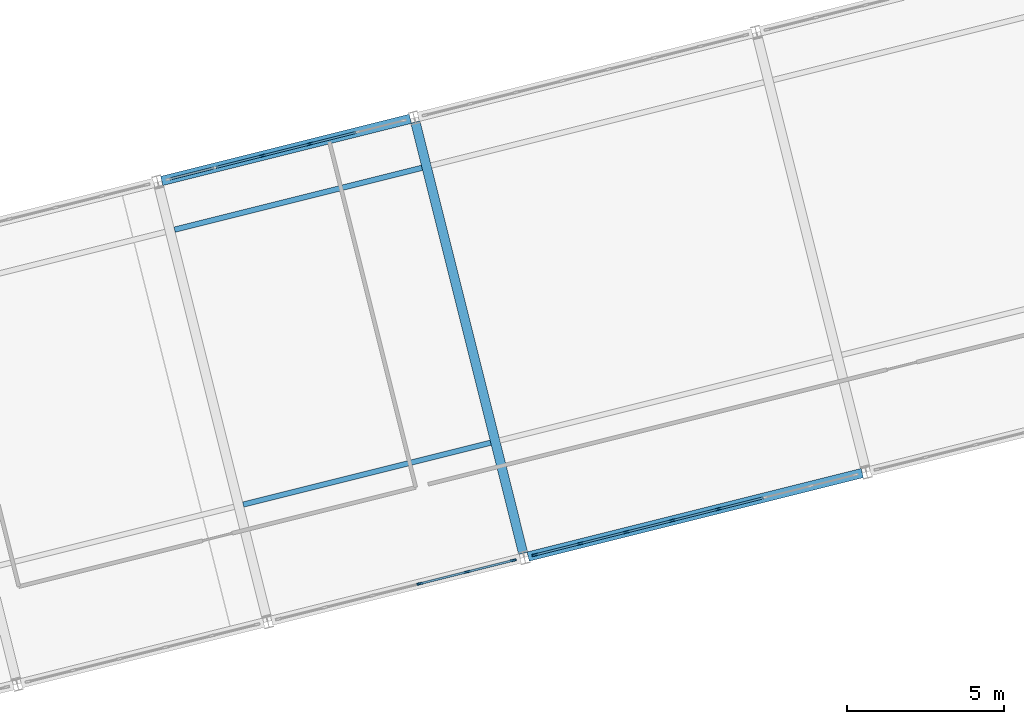
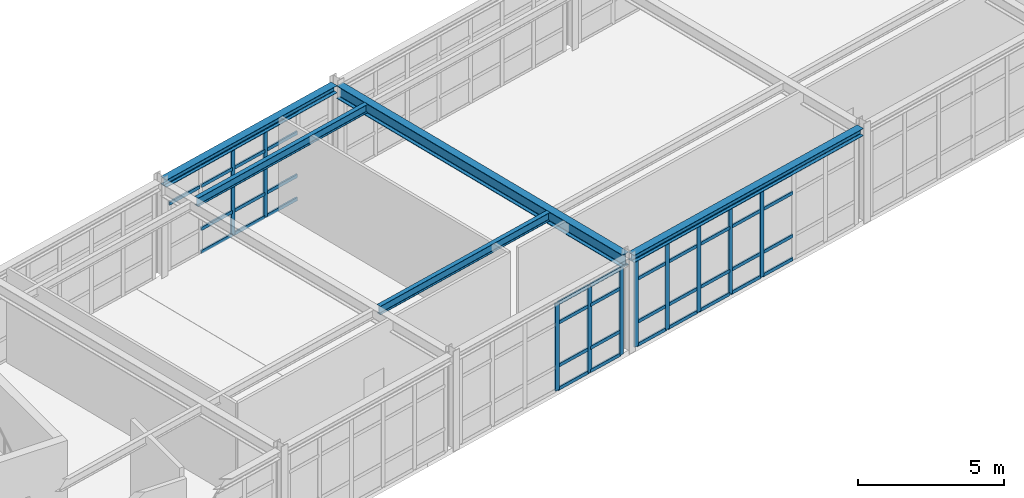
# One storey, part 20 of 76: 52 members, 5 beams, 3 elements without a shape of their own.
"""IFC4 building model written with IfcOpenShell, lengths in metres."""

from ifc_helpers import new_model, si_unit, direction, frame, origin, origin_2d, place, context, subcontext, project, spatial, rectangle, i_section, extrude, material, layer, layer_set, material_profile, profile_set, type_object, element, aggregate, save


model = new_model("IFC4")

# Units and contexts
model_context = context("Model", 3, precision=1e-05, world=origin(), true_north=direction((0.0, 1.0)))
body_context = subcontext(model_context, "Body", "Model", "MODEL_VIEW")
ifc_project = project(units=[si_unit("LENGTHUNIT", "METRE"), si_unit("AREAUNIT", "SQUARE_METRE"), si_unit("VOLUMEUNIT", "CUBIC_METRE"), si_unit("PLANEANGLEUNIT", "RADIAN"), si_unit("MASSUNIT", "GRAM", prefix="KILO")], contexts=[model_context])

# Site, building, storey
site_placement = place(None, origin())
site = spatial("IfcSite", under=ifc_project, at=site_placement, CompositionType="ELEMENT")
building_placement = place(site_placement, origin())
building = spatial("IfcBuilding", under=site, at=building_placement, Name="Nordkorset Police Headquarters", CompositionType="ELEMENT")
storey_placement = place(building_placement, frame((0.0, 0.0, 13.64990234375)))
storey = spatial("IfcBuildingStorey", under=building, at=storey_placement, Name="L03", CompositionType="ELEMENT", Elevation=13.64990234375)

# Beams
ifc_material_1 = material(Name="Steel S355J2", Category="steel")
ifc_material_profile_1 = material_profile(ifc_material_1, i_section(OverallWidth=0.169921875, OverallDepth=0.360107421875, WebThickness=0.008056640625, FlangeThickness=0.0126953125, FilletRadius=0.01806640625, at=origin_2d()), Name="IPE 360")
ifc_profile_set_1 = profile_set([ifc_material_profile_1], Name="Steel S355J2")
beam_type_1 = type_object("IfcBeamType", Name="Beam_IPE_360", PredefinedType="BEAM", material=ifc_profile_set_1)
for number, where, z_axis, x_axis, name in (
    (1, (42.61474609375, 50.670654296875, 3.800048828125), (0.970140727133, 0.242542716974, 0.0), (-0.242542716974, 0.970140727133, 0.0), "Splayed Wing Secondary Beam L03 2-1"),
    (2, (40.431884765625, 59.40185546875, 3.800048828125), (0.970140727133, 0.242542716974, 0.0), (-0.242542716974, 0.970140727133, 0.0), "Splayed Wing Secondary Beam L03 2-2"),
):
    element("IfcBeam", number, at=place(storey_placement, frame(where, z_axis=z_axis, x_axis=x_axis)), inside=storey, type_object=beam_type_1, Name=name, PredefinedType="BEAM", context=body_context, shape_type="SweptSolid", body=[
        extrude(i_section(OverallWidth=0.169921875, OverallDepth=0.360107421875, WebThickness=0.008056640625, FlangeThickness=0.0126953125, FilletRadius=0.01806640625, at=origin_2d()), origin(), (0.0, 0.0, 1.0), 8.10009765625),
    ])

# Curtain wall, members
ifc_material_2 = material(Name="Aluminium alloy AW-6060", Category="aluminium")
ifc_layer_1 = layer(ifc_material_2, 0.179931640625, Name="Aluminium alloy AW-6060")
ifc_layer_set_1 = layer_set([ifc_layer_1], Name="Aluminium alloy AW-6060")
curtain_wall_type_1 = type_object("IfcCurtainWallType", Name="CW_Unit_776x365", PredefinedType="USERDEFINED", material=ifc_layer_set_1)
curtain_wall_1_placement = place(storey_placement, origin())
curtain_wall_1 = element("IfcCurtainWall", 3, at=curtain_wall_1_placement, inside=storey, type_object=curtain_wall_type_1, Name="Unitised Curtain Wall L03 V4S-2", ObjectType="UNITISED CURTAIN WALL", PredefinedType="USERDEFINED")
ifc_material_3 = material(Name="Aluminium alloy AW-6060", Category="aluminium")
ifc_material_profile_2 = material_profile(ifc_material_3, rectangle(XDim=0.06494140625, YDim=0.179931640625, at=origin_2d()), Name="ALU MULL 65x180")
ifc_profile_set_2 = profile_set([ifc_material_profile_2], Name="Aluminium alloy AW-6060")
member_type_1 = type_object("IfcMemberType", Name="CW_Mullion_65x180", PredefinedType="MULLION", material=ifc_profile_set_2)
member_1_placement = place(storey_placement, frame((48.21826171875, 48.154541015625, 0.0), z_axis=(0.0, 0.0, 1.0), x_axis=(-0.24253471539, 0.970142727556, 0.0)))
member_1 = element("IfcMember", 4, at=member_1_placement, type_object=member_type_1, Name="CW-42 mullion 4", PredefinedType="MULLION", context=body_context, shape_type="SweptSolid", body=[
    extrude(rectangle(XDim=0.06494140625, YDim=0.179931640625, at=origin_2d()), origin(), (0.0, 0.0, 1.0), 3.650146484375),
])
member_2_placement = place(storey_placement, frame((49.723876953125, 48.531005859375, 0.0), z_axis=(0.0, 0.0, 1.0), x_axis=(-0.24253471539, 0.970142727556, 0.0)))
member_2 = element("IfcMember", 5, at=member_2_placement, type_object=member_type_1, Name="CW-42 mullion 5", PredefinedType="MULLION", context=body_context, shape_type="SweptSolid", body=[
    extrude(rectangle(XDim=0.06494140625, YDim=0.179931640625, at=origin_2d()), origin(), (0.0, 0.0, 1.0), 3.650146484375),
])
member_3_placement = place(storey_placement, frame((51.1982421875, 48.8994140625, 0.0), z_axis=(0.0, 0.0, 1.0), x_axis=(-0.24253471539, 0.970142727556, 0.0)))
member_3 = element("IfcMember", 6, at=member_3_placement, type_object=member_type_1, Name="CW-42 mullion 6", PredefinedType="MULLION", context=body_context, shape_type="SweptSolid", body=[
    extrude(rectangle(XDim=0.06494140625, YDim=0.179931640625, at=origin_2d()), origin(), (0.0, 0.0, 1.0), 3.650146484375),
])

curtain_wall_2_placement = place(storey_placement, origin())
curtain_wall_2 = element("IfcCurtainWall", 7, at=curtain_wall_2_placement, inside=storey, type_object=curtain_wall_type_1, Name="Unitised Curtain Wall L03 V4N-2", ObjectType="UNITISED CURTAIN WALL", PredefinedType="USERDEFINED")
member_4_placement = place(storey_placement, frame((43.22021484375, 61.748291015625, 0.0), z_axis=(0.0, 0.0, 1.0), x_axis=(-0.242535928242, 0.970142424344, 0.0)))
member_4 = element("IfcMember", 8, at=member_4_placement, type_object=member_type_1, Name="CW-42 mullion 3", PredefinedType="MULLION", context=body_context, shape_type="SweptSolid", body=[
    extrude(rectangle(XDim=0.06494140625, YDim=0.179931640625, at=origin_2d()), origin(), (0.0, 0.0, 1.0), 3.650146484375),
])
member_5_placement = place(storey_placement, frame((44.725830078125, 62.124755859375, 0.0), z_axis=(0.0, 0.0, 1.0), x_axis=(-0.242535928242, 0.970142424344, 0.0)))
member_5 = element("IfcMember", 9, at=member_5_placement, type_object=member_type_1, Name="CW-42 mullion 4", PredefinedType="MULLION", context=body_context, shape_type="SweptSolid", body=[
    extrude(rectangle(XDim=0.06494140625, YDim=0.179931640625, at=origin_2d()), origin(), (0.0, 0.0, 1.0), 3.650146484375),
])

ifc_material_4 = material(Name="Aluminium alloy AW-6060", Category="aluminium")
ifc_layer_2 = layer(ifc_material_4, 0.179931640625, Name="Aluminium alloy AW-6060")
ifc_layer_set_2 = layer_set([ifc_layer_2], Name="Aluminium alloy AW-6060")
curtain_wall_type_2 = type_object("IfcCurtainWallType", Name="CW_Unit_1056x365", PredefinedType="USERDEFINED", material=ifc_layer_set_2)
curtain_wall_3_placement = place(storey_placement, origin())
curtain_wall_3 = element("IfcCurtainWall", 10, at=curtain_wall_3_placement, inside=storey, type_object=curtain_wall_type_2, Name="Unitised Curtain Wall L03 V4S-3", ObjectType="UNITISED CURTAIN WALL", PredefinedType="USERDEFINED")
member_6_placement = place(storey_placement, frame((51.882080078125, 49.070556640625, 0.0), z_axis=(0.0, 0.0, 1.0), x_axis=(-0.242535179399, 0.970142611554, 0.0)))
member_6 = element("IfcMember", 11, at=member_6_placement, type_object=member_type_1, Name="CW-11 mullion 1", PredefinedType="MULLION", context=body_context, shape_type="SweptSolid", body=[
    extrude(rectangle(XDim=0.06494140625, YDim=0.179931640625, at=origin_2d()), origin(), (0.0, 0.0, 1.0), 3.650146484375),
])
member_7_placement = place(storey_placement, frame((53.31396484375, 49.428466796875, 0.0), z_axis=(0.0, 0.0, 1.0), x_axis=(-0.242535179399, 0.970142611554, 0.0)))
member_7 = element("IfcMember", 12, at=member_7_placement, type_object=member_type_1, Name="CW-11 mullion 2", PredefinedType="MULLION", context=body_context, shape_type="SweptSolid", body=[
    extrude(rectangle(XDim=0.06494140625, YDim=0.179931640625, at=origin_2d()), origin(), (0.0, 0.0, 1.0), 3.650146484375),
])
member_8_placement = place(storey_placement, frame((54.777587890625, 49.79443359375, 0.0), z_axis=(0.0, 0.0, 1.0), x_axis=(-0.242535179399, 0.970142611554, 0.0)))
member_8 = element("IfcMember", 13, at=member_8_placement, type_object=member_type_1, Name="CW-11 mullion 3", PredefinedType="MULLION", context=body_context, shape_type="SweptSolid", body=[
    extrude(rectangle(XDim=0.06494140625, YDim=0.179931640625, at=origin_2d()), origin(), (0.0, 0.0, 1.0), 3.650146484375),
])
member_9_placement = place(storey_placement, frame((56.2412109375, 50.160400390625, 0.0), z_axis=(0.0, 0.0, 1.0), x_axis=(-0.242535179399, 0.970142611554, 0.0)))
member_9 = element("IfcMember", 14, at=member_9_placement, type_object=member_type_1, Name="CW-11 mullion 4", PredefinedType="MULLION", context=body_context, shape_type="SweptSolid", body=[
    extrude(rectangle(XDim=0.06494140625, YDim=0.179931640625, at=origin_2d()), origin(), (0.0, 0.0, 1.0), 3.650146484375),
])
member_10_placement = place(storey_placement, frame((57.70458984375, 50.526123046875, 0.0), z_axis=(0.0, 0.0, 1.0), x_axis=(-0.242535179399, 0.970142611554, 0.0)))
member_10 = element("IfcMember", 15, at=member_10_placement, type_object=member_type_1, Name="CW-11 mullion 5", PredefinedType="MULLION", context=body_context, shape_type="SweptSolid", body=[
    extrude(rectangle(XDim=0.06494140625, YDim=0.179931640625, at=origin_2d()), origin(), (0.0, 0.0, 1.0), 3.650146484375),
])

# Member
ifc_material_5 = material(Name="Aluminium alloy AW-6060", Category="aluminium")
ifc_material_profile_3 = material_profile(ifc_material_5, rectangle(XDim=0.06494140625, YDim=0.139892578125, at=origin_2d()), Name="ALU TRAN 65x140")
ifc_profile_set_3 = profile_set([ifc_material_profile_3], Name="Aluminium alloy AW-6060")
member_type_2 = type_object("IfcMemberType", Name="CW_Transom_65x140", PredefinedType="USERDEFINED", material=ifc_profile_set_3)
member_11_placement = place(storey_placement, frame((48.249755859375, 48.162353515625, 0.03271484375), z_axis=(0.970113521062, 0.242651511953, 0.0), x_axis=(-0.242651511953, 0.970113521062, 0.0)))
member_11 = element("IfcMember", 16, at=member_11_placement, type_object=member_type_2, Name="CW-42 transom 4.1", ObjectType="TRANSOM", PredefinedType="USERDEFINED", context=body_context, shape_type="SweptSolid", body=[
    extrude(rectangle(XDim=0.06494140625, YDim=0.139892578125, at=origin_2d()), origin(), (0.0, 0.0, 1.0), 1.487060546875),
])

member_12_placement = place(storey_placement, frame((48.249755859375, 48.162353515625, 1.0), z_axis=(0.970113521062, 0.242651511953, 0.0), x_axis=(-0.242651511953, 0.970113521062, 0.0)))
member_12 = element("IfcMember", 17, at=member_12_placement, type_object=member_type_2, Name="CW-42 transom 4.2", ObjectType="TRANSOM", PredefinedType="USERDEFINED", context=body_context, shape_type="SweptSolid", body=[
    extrude(rectangle(XDim=0.06494140625, YDim=0.139892578125, at=origin_2d()), origin(), (0.0, 0.0, 1.0), 1.487060546875),
])

member_13_placement = place(storey_placement, frame((48.249755859375, 48.162353515625, 2.800048828125), z_axis=(0.970113521062, 0.242651511953, 0.0), x_axis=(-0.242651511953, 0.970113521062, 0.0)))
member_13 = element("IfcMember", 18, at=member_13_placement, type_object=member_type_2, Name="CW-42 transom 4.3", ObjectType="TRANSOM", PredefinedType="USERDEFINED", context=body_context, shape_type="SweptSolid", body=[
    extrude(rectangle(XDim=0.06494140625, YDim=0.139892578125, at=origin_2d()), origin(), (0.0, 0.0, 1.0), 1.487060546875),
])

member_14_placement = place(storey_placement, frame((48.249755859375, 48.162353515625, 3.61767578125), z_axis=(0.970113521062, 0.242651511953, 0.0), x_axis=(-0.242651511953, 0.970113521062, 0.0)))
member_14 = element("IfcMember", 19, at=member_14_placement, type_object=member_type_2, Name="CW-42 transom 4.4", ObjectType="TRANSOM", PredefinedType="USERDEFINED", context=body_context, shape_type="SweptSolid", body=[
    extrude(rectangle(XDim=0.06494140625, YDim=0.139892578125, at=origin_2d()), origin(), (0.0, 0.0, 1.0), 1.487060546875),
])

member_15_placement = place(storey_placement, frame((49.755615234375, 48.538818359375, 0.03271484375), z_axis=(0.970132624514, 0.242575124143, 0.0), x_axis=(-0.242575124143, 0.970132624514, 0.0)))
member_15 = element("IfcMember", 20, at=member_15_placement, type_object=member_type_2, Name="CW-42 transom 5.1", ObjectType="TRANSOM", PredefinedType="USERDEFINED", context=body_context, shape_type="SweptSolid", body=[
    extrude(rectangle(XDim=0.06494140625, YDim=0.139892578125, at=origin_2d()), origin(), (0.0, 0.0, 1.0), 1.454345703125),
])

member_16_placement = place(storey_placement, frame((49.755615234375, 48.538818359375, 1.0), z_axis=(0.970132624514, 0.242575124143, 0.0), x_axis=(-0.242575124143, 0.970132624514, 0.0)))
member_16 = element("IfcMember", 21, at=member_16_placement, type_object=member_type_2, Name="CW-42 transom 5.2", ObjectType="TRANSOM", PredefinedType="USERDEFINED", context=body_context, shape_type="SweptSolid", body=[
    extrude(rectangle(XDim=0.06494140625, YDim=0.139892578125, at=origin_2d()), origin(), (0.0, 0.0, 1.0), 1.454345703125),
])

member_17_placement = place(storey_placement, frame((49.755615234375, 48.538818359375, 2.800048828125), z_axis=(0.970132624514, 0.242575124143, 0.0), x_axis=(-0.242575124143, 0.970132624514, 0.0)))
member_17 = element("IfcMember", 22, at=member_17_placement, type_object=member_type_2, Name="CW-42 transom 5.3", ObjectType="TRANSOM", PredefinedType="USERDEFINED", context=body_context, shape_type="SweptSolid", body=[
    extrude(rectangle(XDim=0.06494140625, YDim=0.139892578125, at=origin_2d()), origin(), (0.0, 0.0, 1.0), 1.454345703125),
])

member_18_placement = place(storey_placement, frame((49.755615234375, 48.538818359375, 3.61767578125), z_axis=(0.970132624514, 0.242575124143, 0.0), x_axis=(-0.242575124143, 0.970132624514, 0.0)))
member_18 = element("IfcMember", 23, at=member_18_placement, type_object=member_type_2, Name="CW-42 transom 5.4", ObjectType="TRANSOM", PredefinedType="USERDEFINED", context=body_context, shape_type="SweptSolid", body=[
    extrude(rectangle(XDim=0.06494140625, YDim=0.139892578125, at=origin_2d()), origin(), (0.0, 0.0, 1.0), 1.454345703125),
])

aggregate(curtain_wall_1, [member_1, member_2, member_3, member_11, member_12, member_13, member_14, member_15, member_16, member_17, member_18])

member_19_placement = place(storey_placement, frame((40.27197265625, 61.01123046875, 2.800048828125), z_axis=(0.970132624514, 0.242575124143, 0.0), x_axis=(-0.242575124143, 0.970132624514, 0.0)))
member_19 = element("IfcMember", 24, at=member_19_placement, type_object=member_type_2, Name="CW-42 transom 1.3", ObjectType="TRANSOM", PredefinedType="USERDEFINED", context=body_context, shape_type="SweptSolid", body=[
    extrude(rectangle(XDim=0.06494140625, YDim=0.139892578125, at=origin_2d()), origin(), (0.0, 0.0, 1.0), 1.454345703125),
])

member_20_placement = place(storey_placement, frame((40.27197265625, 61.01123046875, 3.61767578125), z_axis=(0.970132624514, 0.242575124143, 0.0), x_axis=(-0.242575124143, 0.970132624514, 0.0)))
member_20 = element("IfcMember", 25, at=member_20_placement, type_object=member_type_2, Name="CW-42 transom 1.4", ObjectType="TRANSOM", PredefinedType="USERDEFINED", context=body_context, shape_type="SweptSolid", body=[
    extrude(rectangle(XDim=0.06494140625, YDim=0.139892578125, at=origin_2d()), origin(), (0.0, 0.0, 1.0), 1.454345703125),
])

member_21_placement = place(storey_placement, frame((41.74609375, 61.379638671875, 0.03271484375), z_axis=(0.970152157148, 0.242496993757, 0.0), x_axis=(-0.242496993757, 0.970152157148, 0.0)))
member_21 = element("IfcMember", 26, at=member_21_placement, type_object=member_type_2, Name="CW-42 transom 2.1", ObjectType="TRANSOM", PredefinedType="USERDEFINED", context=body_context, shape_type="SweptSolid", body=[
    extrude(rectangle(XDim=0.06494140625, YDim=0.139892578125, at=origin_2d()), origin(), (0.0, 0.0, 1.0), 1.487060546875),
])

member_22_placement = place(storey_placement, frame((41.74609375, 61.379638671875, 1.0), z_axis=(0.970152157148, 0.242496993757, 0.0), x_axis=(-0.242496993757, 0.970152157148, 0.0)))
member_22 = element("IfcMember", 27, at=member_22_placement, type_object=member_type_2, Name="CW-42 transom 2.2", ObjectType="TRANSOM", PredefinedType="USERDEFINED", context=body_context, shape_type="SweptSolid", body=[
    extrude(rectangle(XDim=0.06494140625, YDim=0.139892578125, at=origin_2d()), origin(), (0.0, 0.0, 1.0), 1.487060546875),
])

member_23_placement = place(storey_placement, frame((41.74609375, 61.379638671875, 2.800048828125), z_axis=(0.970152157148, 0.242496993757, 0.0), x_axis=(-0.242496993757, 0.970152157148, 0.0)))
member_23 = element("IfcMember", 28, at=member_23_placement, type_object=member_type_2, Name="CW-42 transom 2.3", ObjectType="TRANSOM", PredefinedType="USERDEFINED", context=body_context, shape_type="SweptSolid", body=[
    extrude(rectangle(XDim=0.06494140625, YDim=0.139892578125, at=origin_2d()), origin(), (0.0, 0.0, 1.0), 1.487060546875),
])

member_24_placement = place(storey_placement, frame((41.74609375, 61.379638671875, 3.61767578125), z_axis=(0.970152157148, 0.242496993757, 0.0), x_axis=(-0.242496993757, 0.970152157148, 0.0)))
member_24 = element("IfcMember", 29, at=member_24_placement, type_object=member_type_2, Name="CW-42 transom 2.4", ObjectType="TRANSOM", PredefinedType="USERDEFINED", context=body_context, shape_type="SweptSolid", body=[
    extrude(rectangle(XDim=0.06494140625, YDim=0.139892578125, at=origin_2d()), origin(), (0.0, 0.0, 1.0), 1.487060546875),
])

member_25_placement = place(storey_placement, frame((43.251708984375, 61.756103515625, 0.03271484375), z_axis=(0.970152157148, 0.242496993757, 0.0), x_axis=(-0.242496993757, 0.970152157148, 0.0)))
member_25 = element("IfcMember", 30, at=member_25_placement, type_object=member_type_2, Name="CW-42 transom 3.1", ObjectType="TRANSOM", PredefinedType="USERDEFINED", context=body_context, shape_type="SweptSolid", body=[
    extrude(rectangle(XDim=0.06494140625, YDim=0.139892578125, at=origin_2d()), origin(), (0.0, 0.0, 1.0), 1.487060546875),
])

member_26_placement = place(storey_placement, frame((43.251708984375, 61.756103515625, 1.0), z_axis=(0.970152157148, 0.242496993757, 0.0), x_axis=(-0.242496993757, 0.970152157148, 0.0)))
member_26 = element("IfcMember", 31, at=member_26_placement, type_object=member_type_2, Name="CW-42 transom 3.2", ObjectType="TRANSOM", PredefinedType="USERDEFINED", context=body_context, shape_type="SweptSolid", body=[
    extrude(rectangle(XDim=0.06494140625, YDim=0.139892578125, at=origin_2d()), origin(), (0.0, 0.0, 1.0), 1.487060546875),
])

member_27_placement = place(storey_placement, frame((43.251708984375, 61.756103515625, 2.800048828125), z_axis=(0.970152157148, 0.242496993757, 0.0), x_axis=(-0.242496993757, 0.970152157148, 0.0)))
member_27 = element("IfcMember", 32, at=member_27_placement, type_object=member_type_2, Name="CW-42 transom 3.3", ObjectType="TRANSOM", PredefinedType="USERDEFINED", context=body_context, shape_type="SweptSolid", body=[
    extrude(rectangle(XDim=0.06494140625, YDim=0.139892578125, at=origin_2d()), origin(), (0.0, 0.0, 1.0), 1.487060546875),
])

member_28_placement = place(storey_placement, frame((43.251708984375, 61.756103515625, 3.61767578125), z_axis=(0.970152157148, 0.242496993757, 0.0), x_axis=(-0.242496993757, 0.970152157148, 0.0)))
member_28 = element("IfcMember", 33, at=member_28_placement, type_object=member_type_2, Name="CW-42 transom 3.4", ObjectType="TRANSOM", PredefinedType="USERDEFINED", context=body_context, shape_type="SweptSolid", body=[
    extrude(rectangle(XDim=0.06494140625, YDim=0.139892578125, at=origin_2d()), origin(), (0.0, 0.0, 1.0), 1.487060546875),
])

member_29_placement = place(storey_placement, frame((44.75732421875, 62.132568359375, 0.03271484375), z_axis=(0.970152157148, 0.242496993757, 0.0), x_axis=(-0.242496993757, 0.970152157148, 0.0)))
member_29 = element("IfcMember", 34, at=member_29_placement, type_object=member_type_2, Name="CW-42 transom 4.1", ObjectType="TRANSOM", PredefinedType="USERDEFINED", context=body_context, shape_type="SweptSolid", body=[
    extrude(rectangle(XDim=0.06494140625, YDim=0.139892578125, at=origin_2d()), origin(), (0.0, 0.0, 1.0), 1.487060546875),
])

member_30_placement = place(storey_placement, frame((44.75732421875, 62.132568359375, 1.0), z_axis=(0.970152157148, 0.242496993757, 0.0), x_axis=(-0.242496993757, 0.970152157148, 0.0)))
member_30 = element("IfcMember", 35, at=member_30_placement, type_object=member_type_2, Name="CW-42 transom 4.2", ObjectType="TRANSOM", PredefinedType="USERDEFINED", context=body_context, shape_type="SweptSolid", body=[
    extrude(rectangle(XDim=0.06494140625, YDim=0.139892578125, at=origin_2d()), origin(), (0.0, 0.0, 1.0), 1.487060546875),
])

member_31_placement = place(storey_placement, frame((44.75732421875, 62.132568359375, 2.800048828125), z_axis=(0.970152157148, 0.242496993757, 0.0), x_axis=(-0.242496993757, 0.970152157148, 0.0)))
member_31 = element("IfcMember", 36, at=member_31_placement, type_object=member_type_2, Name="CW-42 transom 4.3", ObjectType="TRANSOM", PredefinedType="USERDEFINED", context=body_context, shape_type="SweptSolid", body=[
    extrude(rectangle(XDim=0.06494140625, YDim=0.139892578125, at=origin_2d()), origin(), (0.0, 0.0, 1.0), 1.487060546875),
])

member_32_placement = place(storey_placement, frame((44.75732421875, 62.132568359375, 3.61767578125), z_axis=(0.970152157148, 0.242496993757, 0.0), x_axis=(-0.242496993757, 0.970152157148, 0.0)))
member_32 = element("IfcMember", 37, at=member_32_placement, type_object=member_type_2, Name="CW-42 transom 4.4", ObjectType="TRANSOM", PredefinedType="USERDEFINED", context=body_context, shape_type="SweptSolid", body=[
    extrude(rectangle(XDim=0.06494140625, YDim=0.139892578125, at=origin_2d()), origin(), (0.0, 0.0, 1.0), 1.487060546875),
])

aggregate(curtain_wall_2, [member_4, member_5, member_19, member_20, member_21, member_22, member_23, member_24, member_25, member_26, member_27, member_28, member_29, member_30, member_31, member_32])

member_33_placement = place(storey_placement, frame((51.91357421875, 49.078369140625, 0.03271484375), z_axis=(0.970132321548, 0.242576335796, 0.0), x_axis=(-0.242576335796, 0.970132321548, 0.0)))
member_33 = element("IfcMember", 38, at=member_33_placement, type_object=member_type_2, Name="CW-11 transom 1.1", ObjectType="TRANSOM", PredefinedType="USERDEFINED", context=body_context, shape_type="SweptSolid", body=[
    extrude(rectangle(XDim=0.06494140625, YDim=0.139892578125, at=origin_2d()), origin(), (0.0, 0.0, 1.0), 1.4111328125),
])

member_34_placement = place(storey_placement, frame((51.91357421875, 49.078369140625, 1.0), z_axis=(0.970132321548, 0.242576335796, 0.0), x_axis=(-0.242576335796, 0.970132321548, 0.0)))
member_34 = element("IfcMember", 39, at=member_34_placement, type_object=member_type_2, Name="CW-11 transom 1.2", ObjectType="TRANSOM", PredefinedType="USERDEFINED", context=body_context, shape_type="SweptSolid", body=[
    extrude(rectangle(XDim=0.06494140625, YDim=0.139892578125, at=origin_2d()), origin(), (0.0, 0.0, 1.0), 1.4111328125),
])

member_35_placement = place(storey_placement, frame((51.91357421875, 49.078369140625, 2.800048828125), z_axis=(0.970132321548, 0.242576335796, 0.0), x_axis=(-0.242576335796, 0.970132321548, 0.0)))
member_35 = element("IfcMember", 40, at=member_35_placement, type_object=member_type_2, Name="CW-11 transom 1.3", ObjectType="TRANSOM", PredefinedType="USERDEFINED", context=body_context, shape_type="SweptSolid", body=[
    extrude(rectangle(XDim=0.06494140625, YDim=0.139892578125, at=origin_2d()), origin(), (0.0, 0.0, 1.0), 1.4111328125),
])

member_36_placement = place(storey_placement, frame((51.91357421875, 49.078369140625, 3.61767578125), z_axis=(0.970132321548, 0.242576335796, 0.0), x_axis=(-0.242576335796, 0.970132321548, 0.0)))
member_36 = element("IfcMember", 41, at=member_36_placement, type_object=member_type_2, Name="CW-11 transom 1.4", ObjectType="TRANSOM", PredefinedType="USERDEFINED", context=body_context, shape_type="SweptSolid", body=[
    extrude(rectangle(XDim=0.06494140625, YDim=0.139892578125, at=origin_2d()), origin(), (0.0, 0.0, 1.0), 1.4111328125),
])

member_37_placement = place(storey_placement, frame((53.345703125, 49.4365234375, 0.03271484375), z_axis=(0.970142500145, 0.242535625036, 0.0), x_axis=(-0.242535625036, 0.970142500145, 0.0)))
member_37 = element("IfcMember", 42, at=member_37_placement, type_object=member_type_2, Name="CW-11 transom 2.1", ObjectType="TRANSOM", PredefinedType="USERDEFINED", context=body_context, shape_type="SweptSolid", body=[
    extrude(rectangle(XDim=0.06494140625, YDim=0.139892578125, at=origin_2d()), origin(), (0.0, 0.0, 1.0), 1.443603515625),
])

member_38_placement = place(storey_placement, frame((53.345703125, 49.4365234375, 1.0), z_axis=(0.970142500145, 0.242535625036, 0.0), x_axis=(-0.242535625036, 0.970142500145, 0.0)))
member_38 = element("IfcMember", 43, at=member_38_placement, type_object=member_type_2, Name="CW-11 transom 2.2", ObjectType="TRANSOM", PredefinedType="USERDEFINED", context=body_context, shape_type="SweptSolid", body=[
    extrude(rectangle(XDim=0.06494140625, YDim=0.139892578125, at=origin_2d()), origin(), (0.0, 0.0, 1.0), 1.443603515625),
])

member_39_placement = place(storey_placement, frame((53.345703125, 49.4365234375, 2.800048828125), z_axis=(0.970142500145, 0.242535625036, 0.0), x_axis=(-0.242535625036, 0.970142500145, 0.0)))
member_39 = element("IfcMember", 44, at=member_39_placement, type_object=member_type_2, Name="CW-11 transom 2.3", ObjectType="TRANSOM", PredefinedType="USERDEFINED", context=body_context, shape_type="SweptSolid", body=[
    extrude(rectangle(XDim=0.06494140625, YDim=0.139892578125, at=origin_2d()), origin(), (0.0, 0.0, 1.0), 1.443603515625),
])

member_40_placement = place(storey_placement, frame((53.345703125, 49.4365234375, 3.61767578125), z_axis=(0.970142500145, 0.242535625036, 0.0), x_axis=(-0.242535625036, 0.970142500145, 0.0)))
member_40 = element("IfcMember", 45, at=member_40_placement, type_object=member_type_2, Name="CW-11 transom 2.4", ObjectType="TRANSOM", PredefinedType="USERDEFINED", context=body_context, shape_type="SweptSolid", body=[
    extrude(rectangle(XDim=0.06494140625, YDim=0.139892578125, at=origin_2d()), origin(), (0.0, 0.0, 1.0), 1.443603515625),
])

member_41_placement = place(storey_placement, frame((54.80908203125, 49.80224609375, 0.03271484375), z_axis=(0.970152446652, 0.242495835541, 0.0), x_axis=(-0.242495835541, 0.970152446652, 0.0)))
member_41 = element("IfcMember", 46, at=member_41_placement, type_object=member_type_2, Name="CW-11 transom 3.1", ObjectType="TRANSOM", PredefinedType="USERDEFINED", context=body_context, shape_type="SweptSolid", body=[
    extrude(rectangle(XDim=0.06494140625, YDim=0.139892578125, at=origin_2d()), origin(), (0.0, 0.0, 1.0), 1.44384765625),
])

member_42_placement = place(storey_placement, frame((54.80908203125, 49.80224609375, 1.0), z_axis=(0.970152446652, 0.242495835541, 0.0), x_axis=(-0.242495835541, 0.970152446652, 0.0)))
member_42 = element("IfcMember", 47, at=member_42_placement, type_object=member_type_2, Name="CW-11 transom 3.2", ObjectType="TRANSOM", PredefinedType="USERDEFINED", context=body_context, shape_type="SweptSolid", body=[
    extrude(rectangle(XDim=0.06494140625, YDim=0.139892578125, at=origin_2d()), origin(), (0.0, 0.0, 1.0), 1.44384765625),
])

member_43_placement = place(storey_placement, frame((54.80908203125, 49.80224609375, 2.800048828125), z_axis=(0.970152446652, 0.242495835541, 0.0), x_axis=(-0.242495835541, 0.970152446652, 0.0)))
member_43 = element("IfcMember", 48, at=member_43_placement, type_object=member_type_2, Name="CW-11 transom 3.3", ObjectType="TRANSOM", PredefinedType="USERDEFINED", context=body_context, shape_type="SweptSolid", body=[
    extrude(rectangle(XDim=0.06494140625, YDim=0.139892578125, at=origin_2d()), origin(), (0.0, 0.0, 1.0), 1.44384765625),
])

member_44_placement = place(storey_placement, frame((54.80908203125, 49.80224609375, 3.61767578125), z_axis=(0.970152446652, 0.242495835541, 0.0), x_axis=(-0.242495835541, 0.970152446652, 0.0)))
member_44 = element("IfcMember", 49, at=member_44_placement, type_object=member_type_2, Name="CW-11 transom 3.4", ObjectType="TRANSOM", PredefinedType="USERDEFINED", context=body_context, shape_type="SweptSolid", body=[
    extrude(rectangle(XDim=0.06494140625, YDim=0.139892578125, at=origin_2d()), origin(), (0.0, 0.0, 1.0), 1.44384765625),
])

member_45_placement = place(storey_placement, frame((56.272705078125, 50.168212890625, 0.03271484375), z_axis=(0.970142500145, 0.242535625036, 0.0), x_axis=(-0.242535625036, 0.970142500145, 0.0)))
member_45 = element("IfcMember", 50, at=member_45_placement, type_object=member_type_2, Name="CW-11 transom 4.1", ObjectType="TRANSOM", PredefinedType="USERDEFINED", context=body_context, shape_type="SweptSolid", body=[
    extrude(rectangle(XDim=0.06494140625, YDim=0.139892578125, at=origin_2d()), origin(), (0.0, 0.0, 1.0), 1.443603515625),
])

member_46_placement = place(storey_placement, frame((56.272705078125, 50.168212890625, 1.0), z_axis=(0.970142500145, 0.242535625036, 0.0), x_axis=(-0.242535625036, 0.970142500145, 0.0)))
member_46 = element("IfcMember", 51, at=member_46_placement, type_object=member_type_2, Name="CW-11 transom 4.2", ObjectType="TRANSOM", PredefinedType="USERDEFINED", context=body_context, shape_type="SweptSolid", body=[
    extrude(rectangle(XDim=0.06494140625, YDim=0.139892578125, at=origin_2d()), origin(), (0.0, 0.0, 1.0), 1.443603515625),
])

member_47_placement = place(storey_placement, frame((56.272705078125, 50.168212890625, 2.800048828125), z_axis=(0.970142500145, 0.242535625036, 0.0), x_axis=(-0.242535625036, 0.970142500145, 0.0)))
member_47 = element("IfcMember", 52, at=member_47_placement, type_object=member_type_2, Name="CW-11 transom 4.3", ObjectType="TRANSOM", PredefinedType="USERDEFINED", context=body_context, shape_type="SweptSolid", body=[
    extrude(rectangle(XDim=0.06494140625, YDim=0.139892578125, at=origin_2d()), origin(), (0.0, 0.0, 1.0), 1.443603515625),
])

member_48_placement = place(storey_placement, frame((56.272705078125, 50.168212890625, 3.61767578125), z_axis=(0.970142500145, 0.242535625036, 0.0), x_axis=(-0.242535625036, 0.970142500145, 0.0)))
member_48 = element("IfcMember", 53, at=member_48_placement, type_object=member_type_2, Name="CW-11 transom 4.4", ObjectType="TRANSOM", PredefinedType="USERDEFINED", context=body_context, shape_type="SweptSolid", body=[
    extrude(rectangle(XDim=0.06494140625, YDim=0.139892578125, at=origin_2d()), origin(), (0.0, 0.0, 1.0), 1.443603515625),
])

member_49_placement = place(storey_placement, frame((57.736083984375, 50.533935546875, 0.03271484375), z_axis=(0.970112652058, 0.242654986178, 0.0), x_axis=(-0.242654986178, 0.970112652058, 0.0)))
member_49 = element("IfcMember", 54, at=member_49_placement, type_object=member_type_2, Name="CW-11 transom 5.1", ObjectType="TRANSOM", PredefinedType="USERDEFINED", context=body_context, shape_type="SweptSolid", body=[
    extrude(rectangle(XDim=0.06494140625, YDim=0.139892578125, at=origin_2d()), origin(), (0.0, 0.0, 1.0), 1.44384765625),
])

member_50_placement = place(storey_placement, frame((57.736083984375, 50.533935546875, 1.0), z_axis=(0.970112652058, 0.242654986178, 0.0), x_axis=(-0.242654986178, 0.970112652058, 0.0)))
member_50 = element("IfcMember", 55, at=member_50_placement, type_object=member_type_2, Name="CW-11 transom 5.2", ObjectType="TRANSOM", PredefinedType="USERDEFINED", context=body_context, shape_type="SweptSolid", body=[
    extrude(rectangle(XDim=0.06494140625, YDim=0.139892578125, at=origin_2d()), origin(), (0.0, 0.0, 1.0), 1.44384765625),
])

member_51_placement = place(storey_placement, frame((57.736083984375, 50.533935546875, 2.800048828125), z_axis=(0.970112652058, 0.242654986178, 0.0), x_axis=(-0.242654986178, 0.970112652058, 0.0)))
member_51 = element("IfcMember", 56, at=member_51_placement, type_object=member_type_2, Name="CW-11 transom 5.3", ObjectType="TRANSOM", PredefinedType="USERDEFINED", context=body_context, shape_type="SweptSolid", body=[
    extrude(rectangle(XDim=0.06494140625, YDim=0.139892578125, at=origin_2d()), origin(), (0.0, 0.0, 1.0), 1.44384765625),
])

member_52_placement = place(storey_placement, frame((57.736083984375, 50.533935546875, 3.61767578125), z_axis=(0.970112652058, 0.242654986178, 0.0), x_axis=(-0.242654986178, 0.970112652058, 0.0)))
member_52 = element("IfcMember", 57, at=member_52_placement, type_object=member_type_2, Name="CW-11 transom 5.4", ObjectType="TRANSOM", PredefinedType="USERDEFINED", context=body_context, shape_type="SweptSolid", body=[
    extrude(rectangle(XDim=0.06494140625, YDim=0.139892578125, at=origin_2d()), origin(), (0.0, 0.0, 1.0), 1.44384765625),
])

aggregate(curtain_wall_3, [member_6, member_7, member_8, member_9, member_10, member_33, member_34, member_35, member_36, member_37, member_38, member_39, member_40, member_41, member_42, member_43, member_44, member_45, member_46, member_47, member_48, member_49, member_50, member_51, member_52])

# Beams
ifc_material_6 = material(Name="Steel S355J2", Category="steel")
ifc_material_profile_4 = material_profile(ifc_material_6, i_section(OverallWidth=0.300048828125, OverallDepth=0.5400390625, WebThickness=0.012451171875, FlangeThickness=0.02392578125, FilletRadius=0.027099609375, at=origin_2d()), Name="HEA 550")
ifc_profile_set_4 = profile_set([ifc_material_profile_4], Name="Steel S355J2")
beam_type_2 = type_object("IfcBeamType", Name="Girder_HEA_550", PredefinedType="USERDEFINED", material=ifc_profile_set_4)
beam_1_placement = place(storey_placement, frame((51.506103515625, 49.120849609375, 3.710205078125), z_axis=(-0.24253155672, 0.970143517215, 0.0), x_axis=(-0.970143517215, -0.24253155672, 0.0)))
element("IfcBeam", 58, at=beam_1_placement, inside=storey, type_object=beam_type_2, Name="Splayed Wing Transverse Girder L03 3", ObjectType="GIRDER", PredefinedType="USERDEFINED", context=body_context, shape_type="SweptSolid", body=[
    extrude(i_section(OverallWidth=0.300048828125, OverallDepth=0.5400390625, WebThickness=0.012451171875, FlangeThickness=0.02392578125, FilletRadius=0.027099609375, at=origin_2d()), origin(), (0.0, 0.0, 1.0), 14.1201171875),
])
ifc_material_7 = material(Name="Steel S355J2", Category="steel")
ifc_material_profile_5 = material_profile(ifc_material_7, i_section(OverallWidth=0.300048828125, OverallDepth=0.31005859375, WebThickness=0.009033203125, FlangeThickness=0.015380859375, FilletRadius=0.027099609375, at=origin_2d()), Name="HEA 320")
ifc_profile_set_5 = profile_set([ifc_material_profile_5], Name="Steel S355J2")
beam_type_3 = type_object("IfcBeamType", Name="Spandrel_HEA_320", PredefinedType="SPANDREL", material=ifc_profile_set_5)
beam_2_placement = place(storey_placement, frame((40.0244140625, 60.94921875, 3.8251953125), z_axis=(0.970138971508, 0.242549739151, 0.0), x_axis=(-0.242549739151, 0.970138971508, 0.0)))
element("IfcBeam", 59, at=beam_2_placement, inside=storey, type_object=beam_type_3, Name="Splayed Wing Spandrel L03 2-1", PredefinedType="SPANDREL", context=body_context, shape_type="SweptSolid", body=[
    extrude(i_section(OverallWidth=0.300048828125, OverallDepth=0.31005859375, WebThickness=0.009033203125, FlangeThickness=0.015380859375, FilletRadius=0.027099609375, at=origin_2d()), origin(), (0.0, 0.0, 1.0), 8.14013671875),
])
beam_3_placement = place(storey_placement, frame((51.666259765625, 49.0166015625, 3.8251953125), z_axis=(0.970142500145, 0.242535625036, 0.0), x_axis=(-0.242535625036, 0.970142500145, 0.0)))
element("IfcBeam", 60, at=beam_3_placement, inside=storey, type_object=beam_type_3, Name="Splayed Wing Spandrel L03 3-0", PredefinedType="SPANDREL", context=body_context, shape_type="SweptSolid", body=[
    extrude(i_section(OverallWidth=0.300048828125, OverallDepth=0.31005859375, WebThickness=0.009033203125, FlangeThickness=0.015380859375, FilletRadius=0.027099609375, at=origin_2d()), origin(), (0.0, 0.0, 1.0), 10.93994140625),
])

save(model, "model.ifc")
